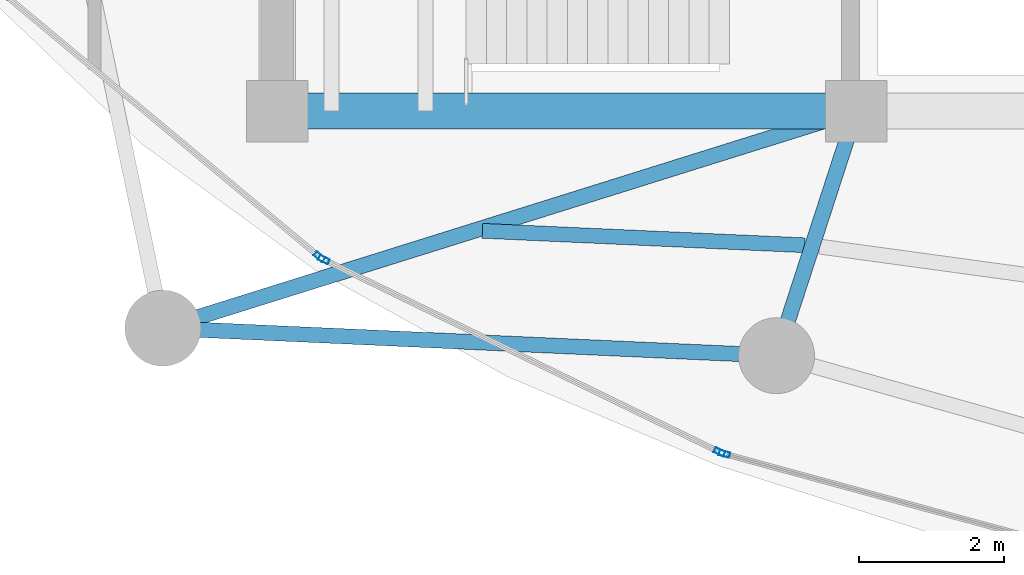
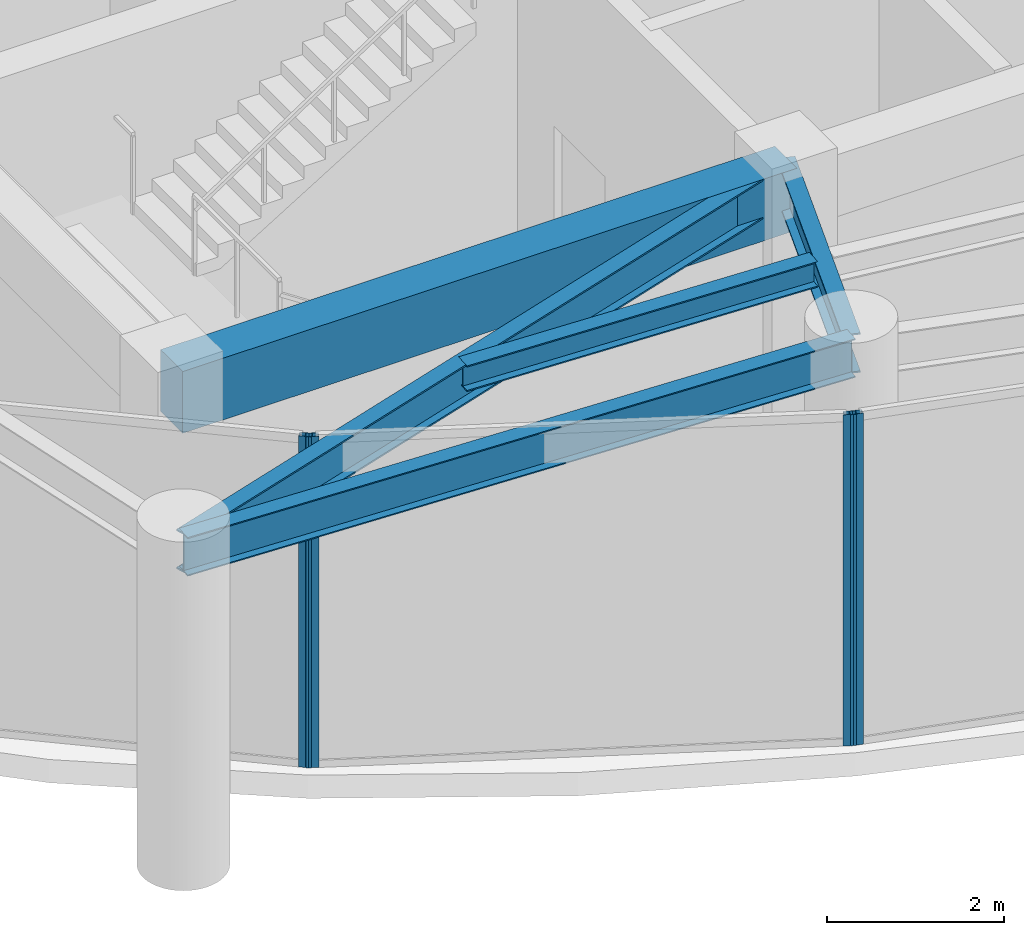
# One storey, part 2 of 28: 5 beams, 4 members, 3 elements without a shape of their own.
"""IFC4 building model written with IfcOpenShell, lengths in metres."""

from ifc_helpers import new_model, si_unit, direction, frame, origin, origin_2d, place, context, subcontext, project, spatial, rectangle, hollow_rectangle, i_section, extrude, material, layer, layer_set, material_profile, profile_set, type_object, element, aggregate, save


model = new_model("IFC4")

# Units and contexts
model_context = context("Model", 3, precision=1e-05, world=origin(), true_north=direction((0.0, 1.0)))
body_context = subcontext(model_context, "Body", "Model", "MODEL_VIEW")
ifc_project = project(units=[si_unit("LENGTHUNIT", "METRE"), si_unit("AREAUNIT", "SQUARE_METRE"), si_unit("VOLUMEUNIT", "CUBIC_METRE"), si_unit("PLANEANGLEUNIT", "RADIAN"), si_unit("MASSUNIT", "GRAM", prefix="KILO")], contexts=[model_context])

# Site, building, storey
site_placement = place(None, origin())
site = spatial("IfcSite", under=ifc_project, at=site_placement, CompositionType="ELEMENT")
building_placement = place(site_placement, origin())
building = spatial("IfcBuilding", under=site, at=building_placement, Name="Kazevale Care Tower and Concert Hall", CompositionType="ELEMENT")
storey_placement = place(building_placement, frame((0.0, 0.0, 190.800048828125)))
storey = spatial("IfcBuildingStorey", under=building, at=storey_placement, Name="L50", CompositionType="ELEMENT", Elevation=190.800048828125)

# Curtain wall, member
ifc_material_1 = material(Name="Aluminium 6063-T6 and Low-E Glass", Category="aluminium")
ifc_layer = layer(ifc_material_1, 0.179931640625)
ifc_layer_set = layer_set([ifc_layer], Name="Aluminium 6063-T6 and Low-E Glass")
curtain_wall_type = type_object("IfcCurtainWallType", Name="Sheltered Concave Balcony Curtain Wall CW-5", PredefinedType="NOTDEFINED", material=ifc_layer_set)
curtain_wall_1_placement = place(storey_placement, origin())
curtain_wall_1 = element("IfcCurtainWall", 1, at=curtain_wall_1_placement, inside=storey, type_object=curtain_wall_type, Name="cw:L50:f08", PredefinedType="NOTDEFINED")
ifc_material_2 = material(Name="Aluminium 6063-T6", Category="aluminium")
ifc_material_profile_1 = material_profile(ifc_material_2, hollow_rectangle(XDim=0.074951171875, YDim=0.14990234375, WallThickness=0.00390625, at=origin_2d()), Name="ALU75x150x4")
ifc_profile_set_1 = profile_set([ifc_material_profile_1], Name="Aluminium 6063-T6")
member_type = type_object("IfcMemberType", Name="CW-5 Mullion ALU75x150x4", PredefinedType="MULLION", material=ifc_profile_set_1)
member_1_placement = place(storey_placement, frame((28.18017578125, 18.863037109375, 0.0), z_axis=(0.0, 0.0, 1.0), x_axis=(-0.262848968947, -0.964836991167, 0.0)))
member_1 = element("IfcMember", 2, at=member_1_placement, type_object=member_type, Name="CW-5 mullion 2", PredefinedType="MULLION", context=body_context, shape_type="SweptSolid", body=[
    extrude(hollow_rectangle(XDim=0.074951171875, YDim=0.14990234375, WallThickness=0.00390625, at=origin_2d()), origin(), (0.0, 0.0, 1.0), 4.56005859375),
])
aggregate(curtain_wall_1, [member_1])

# Curtain wall, members
curtain_wall_2_placement = place(storey_placement, origin())
curtain_wall_2 = element("IfcCurtainWall", 3, at=curtain_wall_2_placement, inside=storey, type_object=curtain_wall_type, Name="cw:L50:f09", PredefinedType="NOTDEFINED")
member_2_placement = place(storey_placement, frame((28.1103515625, 18.889404296875, 0.0), z_axis=(0.0, 0.0, 1.0), x_axis=(-0.437238357087, -0.89934566163, 0.0)))
member_2 = element("IfcMember", 4, at=member_2_placement, type_object=member_type, Name="CW-5 mullion 1", PredefinedType="MULLION", context=body_context, shape_type="SweptSolid", body=[
    extrude(hollow_rectangle(XDim=0.074951171875, YDim=0.14990234375, WallThickness=0.00390625, at=origin_2d()), origin(), (0.0, 0.0, 1.0), 4.56005859375),
])
member_3_placement = place(storey_placement, frame((22.644775390625, 21.546630859375, 0.0), z_axis=(0.0, 0.0, 1.0), x_axis=(-0.437238357087, -0.89934566163, 0.0)))
member_3 = element("IfcMember", 5, at=member_3_placement, type_object=member_type, Name="CW-5 mullion 2", PredefinedType="MULLION", context=body_context, shape_type="SweptSolid", body=[
    extrude(hollow_rectangle(XDim=0.074951171875, YDim=0.14990234375, WallThickness=0.00390625, at=origin_2d()), origin(), (0.0, 0.0, 1.0), 4.56005859375),
])
aggregate(curtain_wall_2, [member_2, member_3])

# Curtain wall, member
curtain_wall_3_placement = place(storey_placement, origin())
curtain_wall_3 = element("IfcCurtainWall", 6, at=curtain_wall_3_placement, inside=storey, type_object=curtain_wall_type, Name="cw:L50:f10", PredefinedType="NOTDEFINED")
member_4_placement = place(storey_placement, frame((22.582275390625, 21.5869140625, 0.0), z_axis=(0.0, 0.0, 1.0), x_axis=(-0.639961217204, -0.768407210062, 0.0)))
member_4 = element("IfcMember", 7, at=member_4_placement, type_object=member_type, Name="CW-5 mullion 1", PredefinedType="MULLION", context=body_context, shape_type="SweptSolid", body=[
    extrude(hollow_rectangle(XDim=0.074951171875, YDim=0.14990234375, WallThickness=0.00390625, at=origin_2d()), origin(), (0.0, 0.0, 1.0), 4.56005859375),
])
aggregate(curtain_wall_3, [member_4])

# Beams
ifc_material_3 = material(Name="Concrete C60", Category="concrete")
ifc_material_profile_2 = material_profile(ifc_material_3, rectangle(XDim=0.5, YDim=0.85009765625, at=origin_2d()), Name="RC-B500x850")
ifc_profile_set_2 = profile_set([ifc_material_profile_2], Name="Concrete C60")
beam_type_1 = type_object("IfcBeamType", Name="Core Coupling Beam RC500x850", PredefinedType="LINTEL", material=ifc_profile_set_2)
beam_1_placement = place(storey_placement, frame((22.0, 23.60009765625, 4.135009765625), z_axis=(1.0, 0.0, 0.0), x_axis=(0.0, 1.0, 0.0)))
element("IfcBeam", 8, at=beam_1_placement, inside=storey, type_object=beam_type_1, Name="beam:L50:coretie:1", PredefinedType="LINTEL", context=body_context, shape_type="SweptSolid", body=[
    extrude(rectangle(XDim=0.5, YDim=0.85009765625, at=origin_2d()), origin(), (0.0, 0.0, 1.0), 8.0),
])
ifc_material_4 = material(Name="Steel ASTM A572 Gr 50", Category="steel")
ifc_material_profile_3 = material_profile(ifc_material_4, i_section(OverallWidth=0.2119140625, OverallDepth=0.5439453125, WebThickness=0.01318359375, FlangeThickness=0.021240234375, at=origin_2d()), Name="W530x123")
ifc_profile_set_3 = profile_set([ifc_material_profile_3], Name="Steel ASTM A572 Gr 50")
beam_type_2 = type_object("IfcBeamType", Name="Radial Floor Girder W530x123", PredefinedType="BEAM", material=ifc_profile_set_3)
beam_2_placement = place(storey_placement, frame((30.0, 23.60009765625, 4.287841796875), z_axis=(-0.954303255322, -0.298839918486, 0.0), x_axis=(0.298839918486, -0.954303255322, 0.0)))
element("IfcBeam", 9, at=beam_2_placement, inside=storey, type_object=beam_type_2, Name="beam:L50:rad:10", PredefinedType="BEAM", context=body_context, shape_type="SweptSolid", body=[
    extrude(i_section(OverallWidth=0.2119140625, OverallDepth=0.5439453125, WebThickness=0.01318359375, FlangeThickness=0.021240234375, at=origin_2d()), origin(), (0.0, 0.0, 1.0), 10.038818359375),
])
beam_3_placement = place(storey_placement, frame((30.0, 23.60009765625, 4.287841796875), z_axis=(-0.309482065101, -0.950905279921, 0.0), x_axis=(0.950905279921, -0.309482065101, 0.0)))
element("IfcBeam", 10, at=beam_3_placement, inside=storey, type_object=beam_type_2, Name="beam:L50:rad:11", PredefinedType="BEAM", context=body_context, shape_type="SweptSolid", body=[
    extrude(i_section(OverallWidth=0.2119140625, OverallDepth=0.5439453125, WebThickness=0.01318359375, FlangeThickness=0.021240234375, at=origin_2d()), origin(), (0.0, 0.0, 1.0), 3.5546875),
])
ifc_material_profile_4 = material_profile(ifc_material_4, i_section(OverallWidth=0.205078125, OverallDepth=0.35400390625, WebThickness=0.009521484375, FlangeThickness=0.016845703125, at=origin_2d()), Name="W360x79")
ifc_profile_set_4 = profile_set([ifc_material_profile_4], Name="Steel ASTM A572 Gr 50")
beam_type_3 = type_object("IfcBeamType", Name="Secondary Floor Joist W360x79", PredefinedType="JOIST", material=ifc_profile_set_4)
beam_4_placement = place(storey_placement, frame((24.8359375, 21.945068359375, 4.383056640625), z_axis=(0.999003687274, -0.044627713502, 0.0), x_axis=(0.044627713502, 0.999003687274, 0.0)))
element("IfcBeam", 11, at=beam_4_placement, inside=storey, type_object=beam_type_3, Name="beam:L50:joist:10", PredefinedType="JOIST", context=body_context, shape_type="SweptSolid", body=[
    extrude(i_section(OverallWidth=0.205078125, OverallDepth=0.35400390625, WebThickness=0.009521484375, FlangeThickness=0.016845703125, at=origin_2d()), origin(), (0.0, 0.0, 1.0), 4.45849609375),
])
ifc_material_profile_5 = material_profile(ifc_material_4, i_section(OverallWidth=0.208984375, OverallDepth=0.532958984375, WebThickness=0.01025390625, FlangeThickness=0.015625, at=origin_2d()), Name="W530x92")
ifc_profile_set_5 = profile_set([ifc_material_profile_5], Name="Steel ASTM A572 Gr 50")
beam_type_4 = type_object("IfcBeamType", Name="Upper Ring Beam W530x92", PredefinedType="BEAM", material=ifc_profile_set_5)
beam_5_placement = place(storey_placement, frame((20.419921875, 20.60009765625, 4.29345703125), z_axis=(0.998996808771, -0.044781425441, 0.0), x_axis=(0.044781425441, 0.998996808771, 0.0)))
element("IfcBeam", 12, at=beam_5_placement, inside=storey, type_object=beam_type_4, Name="beam:L50:ring:10", PredefinedType="BEAM", context=body_context, shape_type="SweptSolid", body=[
    extrude(i_section(OverallWidth=0.208984375, OverallDepth=0.532958984375, WebThickness=0.01025390625, FlangeThickness=0.015625, at=origin_2d()), origin(), (0.0, 0.0, 1.0), 8.488525390625),
])

save(model, "model.ifc")
